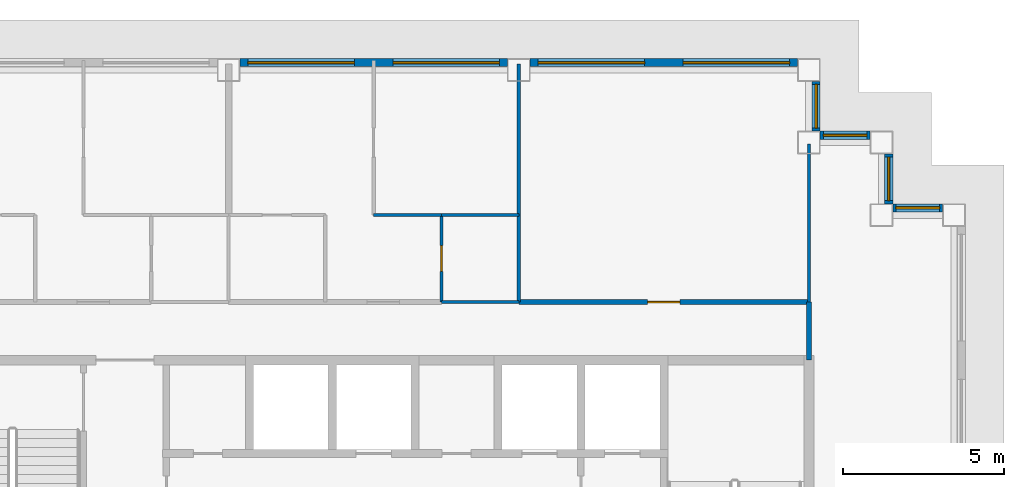
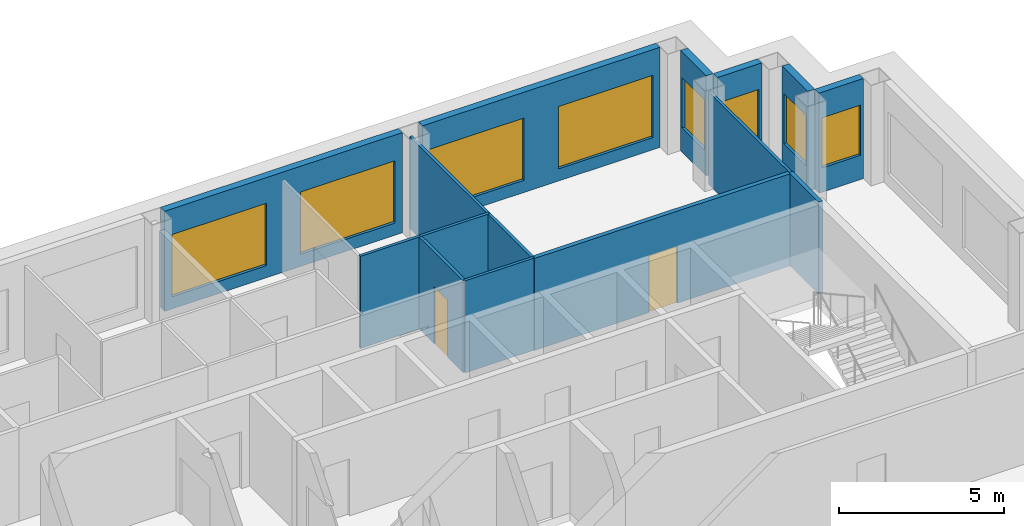
# One storey, part 7 of 11: 15 walls, 8 windows, 2 doors, 10 openings.
"""IFC4 building model written with IfcOpenShell, lengths in metres."""

from ifc_helpers import new_model, si_unit, direction, frame, frame_2d, origin, place, context, subcontext, project, spatial, rectangle, extrude, material, layer, layer_set, type_object, element, fill, save


model = new_model("IFC4")

# Units and contexts
model_context = context("Model", 3, precision=1e-05, world=origin(), true_north=direction((0.0, 1.0)))
body_context = subcontext(model_context, "Body", "Model", "MODEL_VIEW")
ifc_project = project(units=[si_unit("LENGTHUNIT", "METRE"), si_unit("AREAUNIT", "SQUARE_METRE"), si_unit("VOLUMEUNIT", "CUBIC_METRE"), si_unit("PLANEANGLEUNIT", "RADIAN"), si_unit("MASSUNIT", "GRAM", prefix="KILO")], contexts=[model_context])

# Site, building, storey
site_placement = place(None, origin())
site = spatial("IfcSite", under=ifc_project, at=site_placement, CompositionType="ELEMENT")
building_placement = place(site_placement, origin())
building = spatial("IfcBuilding", under=site, at=building_placement, Name="Caravel Reach Hotel and Residences", CompositionType="ELEMENT")
storey_placement = place(building_placement, frame((0.0, 0.0, 210.89990234375)))
storey = spatial("IfcBuildingStorey", under=building, at=storey_placement, Name="L53", CompositionType="ELEMENT", Elevation=210.89990234375)

# Walls
ifc_material_1 = material(Name="Gypsum board on steel stud", Category="steel")
ifc_layer_1 = layer(ifc_material_1, 0.10009765625)
ifc_layer_set_1 = layer_set([ifc_layer_1], Name="Bathroom pod wall 100 mm")
wall_type_1 = type_object("IfcWallType", Name="Bathroom pod wall 100 mm", PredefinedType="PARTITIONING", material=ifc_layer_set_1)
for number, where, z_axis, x_axis, name in (
    (1, (33.60009765625, 33.300048828125, 0.0), (0.0, 0.0, 1.0), (1.0, 0.0, 0.0), "L53 wall w069"),
    (2, (33.60009765625, 36.0, 0.0), (0.0, 0.0, 1.0), (1.0, 0.0, 0.0), "L53 wall w071"),
):
    element("IfcWall", number, at=place(storey_placement, frame(where, z_axis=z_axis, x_axis=x_axis)), inside=storey, type_object=wall_type_1, Name=name, PredefinedType="PARTITIONING", context=body_context, shape_type="SweptSolid", body=[
        extrude(rectangle(XDim=2.39990234375, YDim=0.10009765625, at=frame_2d((1.199951171875, 0.0))), origin(), (0.0, 0.0, 1.0), 3.400146484375),
    ])

# Wall, opening, door
wall_1_placement = place(storey_placement, frame((33.60009765625, 33.300048828125, 0.0), z_axis=(0.0, 0.0, 1.0), x_axis=(0.0, 1.0, 0.0)))
wall_1 = element("IfcWall", 3, at=wall_1_placement, inside=storey, type_object=wall_type_1, Name="L53 wall w079", PredefinedType="PARTITIONING", context=body_context, shape_type="SweptSolid", body=[
    extrude(rectangle(XDim=2.699951171875, YDim=0.10009765625, at=frame_2d((1.35009765625, 0.0))), origin(), (0.0, 0.0, 1.0), 3.400146484375),
])
opening_1_placement = place(wall_1_placement, frame((0.949951171875, 0.0, 0.0)))
opening_1 = element("IfcOpeningElement", 4, at=opening_1_placement, cuts=wall_1, Name="Opening D53-022", PredefinedType="OPENING", context=body_context, shape_type="SweptSolid", body=[
    extrude(rectangle(XDim=0.800048828125, YDim=2.10009765625, at=frame_2d((0.39990234375, 1.050048828125))), frame((0.0, 0.06005859375, 0.0), z_axis=(0.0, -1.0, 0.0), x_axis=(1.0, 0.0, 0.0)), (0.0, 0.0, 1.0), 0.1201171875),
])
ifc_material_2 = material(Name="Timber and steel door leaf", Category="steel")
door_type_1 = type_object("IfcDoorType", Name="Bathroom door 800 x 2100", OperationType="SINGLE_SWING_LEFT", PredefinedType="DOOR", material=ifc_material_2)
door_1_placement = place(opening_1_placement, origin())
door_1 = element("IfcDoor", 5, at=door_1_placement, inside=storey, type_object=door_type_1, Name="door D53-022", OperationType="SINGLE_SWING_LEFT", OverallHeight=2.10009765625, OverallWidth=0.800048828125, PredefinedType="DOOR", context=body_context, shape_type="SweptSolid", body=[
    extrude(rectangle(XDim=0.800048828125, YDim=2.10009765625, at=frame_2d((0.39990234375, 1.050048828125))), frame((0.0, 0.02490234375, 0.0), z_axis=(0.0, -1.0, 0.0), x_axis=(1.0, 0.0, 0.0)), (0.0, 0.0, 1.0), 0.050048828125),
])
fill(opening_1, door_1)

# Wall
wall_2_placement = place(storey_placement, frame((36.0, 33.300048828125, 0.0), z_axis=(0.0, 0.0, 1.0), x_axis=(0.0, 1.0, 0.0)))
element("IfcWall", 6, at=wall_2_placement, inside=storey, type_object=wall_type_1, Name="L53 wall w080", PredefinedType="PARTITIONING", context=body_context, shape_type="SweptSolid", body=[
    extrude(rectangle(XDim=2.699951171875, YDim=0.10009765625, at=frame_2d((1.35009765625, 0.0))), origin(), (0.0, 0.0, 1.0), 3.400146484375),
])

# Wall, opening, door
ifc_material_3 = material(Name="Gypsum board on steel stud, fire-rated", Category="steel")
ifc_layer_2 = layer(ifc_material_3, 0.14990234375)
ifc_layer_set_2 = layer_set([ifc_layer_2], Name="Corridor wall 150 mm EI 60")
wall_type_2 = type_object("IfcWallType", Name="Corridor wall 150 mm EI 60", PredefinedType="PARTITIONING", material=ifc_layer_set_2)
wall_3_placement = place(storey_placement, frame((36.0, 33.300048828125, 0.0), z_axis=(0.0, 0.0, 1.0), x_axis=(1.0, 0.0, 0.0)))
wall_3 = element("IfcWall", 7, at=wall_3_placement, inside=storey, type_object=wall_type_2, Name="L53 wall w014", PredefinedType="PARTITIONING", context=body_context, shape_type="SweptSolid", body=[
    extrude(rectangle(XDim=9.0, YDim=0.14990234375, at=frame_2d((4.5, 0.0))), origin(), (0.0, 0.0, 1.0), 3.400146484375),
])
opening_2_placement = place(wall_3_placement, frame((4.0, 0.0, 0.0)))
opening_2 = element("IfcOpeningElement", 8, at=opening_2_placement, cuts=wall_3, Name="Opening D53-024", PredefinedType="OPENING", context=body_context, shape_type="SweptSolid", body=[
    extrude(rectangle(XDim=1.0, YDim=2.10009765625, at=frame_2d((0.5, 1.050048828125))), frame((0.0, 0.0849609375, 0.0), z_axis=(0.0, -1.0, 0.0), x_axis=(1.0, 0.0, 0.0)), (0.0, 0.0, 1.0), 0.169921875),
])
ifc_material_4 = material(Name="Steel fire door leaf", Category="steel")
door_type_2 = type_object("IfcDoorType", Name="Fire door 1000 x 2100 EI 60", OperationType="SINGLE_SWING_LEFT", PredefinedType="DOOR", material=ifc_material_4)
door_2_placement = place(opening_2_placement, origin())
door_2 = element("IfcDoor", 9, at=door_2_placement, inside=storey, type_object=door_type_2, Name="door D53-024", OperationType="SINGLE_SWING_RIGHT", OverallHeight=2.10009765625, OverallWidth=1.0, PredefinedType="DOOR", context=body_context, shape_type="SweptSolid", body=[
    extrude(rectangle(XDim=1.0, YDim=2.10009765625, at=frame_2d((0.5, 1.050048828125))), frame((0.0, 0.02490234375, 0.0), z_axis=(0.0, -1.0, 0.0), x_axis=(1.0, 0.0, 0.0)), (0.0, 0.0, 1.0), 0.050048828125),
])
fill(opening_2, door_2)

# Wall
wall_4_placement = place(storey_placement, frame((45.0, 31.5, 0.0), z_axis=(0.0, 0.0, 1.0), x_axis=(0.0, 1.0, 0.0)))
element("IfcWall", 10, at=wall_4_placement, inside=storey, type_object=wall_type_2, Name="L53 wall w026", PredefinedType="PARTITIONING", context=body_context, shape_type="SweptSolid", body=[
    extrude(rectangle(XDim=1.800048828125, YDim=0.14990234375, at=frame_2d((0.89990234375, 0.0))), origin(), (0.0, 0.0, 1.0), 3.400146484375),
])

# Wall, opening, window
ifc_material_5 = material(Name="Insulated rainscreen wall, aluminium cladding", Category="aluminium")
ifc_layer_3 = layer(ifc_material_5, 0.25)
ifc_layer_set_3 = layer_set([ifc_layer_3], Name="EW1 Tower rainscreen wall")
wall_type_3 = type_object("IfcWallType", Name="EW1 Tower rainscreen wall", PredefinedType="SOLIDWALL", material=ifc_layer_set_3)
wall_5_placement = place(storey_placement, frame((49.14990234375, 36.22509765625, 0.0), z_axis=(0.0, 0.0, 1.0), x_axis=(-1.0, 0.0, 0.0)))
wall_5 = element("IfcWall", 11, at=wall_5_placement, inside=storey, type_object=wall_type_3, Name="External wall L53 N7.1", PredefinedType="SOLIDWALL", context=body_context, shape_type="SweptSolid", body=[
    extrude(rectangle(XDim=1.5498046875, YDim=0.25, at=frame_2d((0.77490234375, 0.0))), origin(), (0.0, 0.0, 1.0), 3.7001953125),
])
opening_3_placement = place(wall_5_placement, frame((0.10009765625, 0.0, 0.89990234375)))
opening_3 = element("IfcOpeningElement", 12, at=opening_3_placement, cuts=wall_5, Name="Opening WN21", PredefinedType="OPENING", context=body_context, shape_type="SweptSolid", body=[
    extrude(rectangle(XDim=1.35009765625, YDim=1.85009765625, at=frame_2d((0.675048828125, 0.925048828125))), frame((0.0, 0.135009765625, 0.0), z_axis=(0.0, -1.0, 0.0), x_axis=(1.0, 0.0, 0.0)), (0.0, 0.0, 1.0), 0.27001953125),
])
ifc_material_6 = material(Name="Dark low-e glazing in black aluminium frame", Category="aluminium")
window_type_1 = type_object("IfcWindowType", Name="Residence bedroom window 1350 x 1850", PartitioningType="SINGLE_PANEL", PredefinedType="WINDOW", material=ifc_material_6)
window_1_placement = place(opening_3_placement, origin())
window_1 = element("IfcWindow", 13, at=window_1_placement, inside=storey, type_object=window_type_1, Name="Window L53 N7.1.1", OverallHeight=1.85009765625, OverallWidth=1.35009765625, PartitioningType="SINGLE_PANEL", PredefinedType="WINDOW", context=body_context, shape_type="SweptSolid", body=[
    extrude(rectangle(XDim=1.35009765625, YDim=1.85009765625, at=frame_2d((0.675048828125, 0.925048828125))), frame((0.0, 0.030029296875, 0.0), z_axis=(0.0, -1.0, 0.0), x_axis=(1.0, 0.0, 0.0)), (0.0, 0.0, 1.0), 0.06005859375),
])
fill(opening_3, window_1)

wall_6_placement = place(storey_placement, frame((47.47509765625, 36.35009765625, 0.0), z_axis=(0.0, 0.0, 1.0), x_axis=(0.0, 1.0, 0.0)))
wall_6 = element("IfcWall", 14, at=wall_6_placement, inside=storey, type_object=wall_type_3, Name="External wall L53 E8.1", PredefinedType="SOLIDWALL", context=body_context, shape_type="SweptSolid", body=[
    extrude(rectangle(XDim=1.5498046875, YDim=0.25, at=frame_2d((0.77490234375, 0.0))), origin(), (0.0, 0.0, 1.0), 3.7001953125),
])
opening_4_placement = place(wall_6_placement, frame((0.10009765625, 0.0, 0.89990234375)))
opening_4 = element("IfcOpeningElement", 15, at=opening_4_placement, cuts=wall_6, Name="Opening WN21", PredefinedType="OPENING", context=body_context, shape_type="SweptSolid", body=[
    extrude(rectangle(XDim=1.35009765625, YDim=1.85009765625, at=frame_2d((0.675048828125, 0.925048828125))), frame((0.0, 0.135009765625, 0.0), z_axis=(0.0, -1.0, 0.0), x_axis=(1.0, 0.0, 0.0)), (0.0, 0.0, 1.0), 0.27001953125),
])
window_2_placement = place(opening_4_placement, origin())
window_2 = element("IfcWindow", 16, at=window_2_placement, inside=storey, type_object=window_type_1, Name="Window L53 E8.1.1", OverallHeight=1.85009765625, OverallWidth=1.35009765625, PartitioningType="SINGLE_PANEL", PredefinedType="WINDOW", context=body_context, shape_type="SweptSolid", body=[
    extrude(rectangle(XDim=1.35009765625, YDim=1.85009765625, at=frame_2d((0.675048828125, 0.925048828125))), frame((0.0, 0.030029296875, 0.0), z_axis=(0.0, -1.0, 0.0), x_axis=(1.0, 0.0, 0.0)), (0.0, 0.0, 1.0), 0.06005859375),
])
fill(opening_4, window_2)

wall_7_placement = place(storey_placement, frame((46.89990234375, 38.47509765625, 0.0), z_axis=(0.0, 0.0, 1.0), x_axis=(-1.0, 0.0, 0.0)))
wall_7 = element("IfcWall", 17, at=wall_7_placement, inside=storey, type_object=wall_type_3, Name="External wall L53 N9.1", PredefinedType="SOLIDWALL", context=body_context, shape_type="SweptSolid", body=[
    extrude(rectangle(XDim=1.5498046875, YDim=0.25, at=frame_2d((0.77490234375, 0.0))), origin(), (0.0, 0.0, 1.0), 3.7001953125),
])
opening_5_placement = place(wall_7_placement, frame((0.10009765625, 0.0, 0.89990234375)))
opening_5 = element("IfcOpeningElement", 18, at=opening_5_placement, cuts=wall_7, Name="Opening WN21", PredefinedType="OPENING", context=body_context, shape_type="SweptSolid", body=[
    extrude(rectangle(XDim=1.35009765625, YDim=1.85009765625, at=frame_2d((0.675048828125, 0.925048828125))), frame((0.0, 0.135009765625, 0.0), z_axis=(0.0, -1.0, 0.0), x_axis=(1.0, 0.0, 0.0)), (0.0, 0.0, 1.0), 0.27001953125),
])
window_3_placement = place(opening_5_placement, origin())
window_3 = element("IfcWindow", 19, at=window_3_placement, inside=storey, type_object=window_type_1, Name="Window L53 N9.1.1", OverallHeight=1.85009765625, OverallWidth=1.35009765625, PartitioningType="SINGLE_PANEL", PredefinedType="WINDOW", context=body_context, shape_type="SweptSolid", body=[
    extrude(rectangle(XDim=1.35009765625, YDim=1.85009765625, at=frame_2d((0.675048828125, 0.925048828125))), frame((0.0, 0.030029296875, 0.0), z_axis=(0.0, -1.0, 0.0), x_axis=(1.0, 0.0, 0.0)), (0.0, 0.0, 1.0), 0.06005859375),
])
fill(opening_5, window_3)

wall_8_placement = place(storey_placement, frame((45.22509765625, 38.60009765625, 0.0), z_axis=(0.0, 0.0, 1.0), x_axis=(0.0, 1.0, 0.0)))
wall_8 = element("IfcWall", 20, at=wall_8_placement, inside=storey, type_object=wall_type_3, Name="External wall L53 E10.1", PredefinedType="SOLIDWALL", context=body_context, shape_type="SweptSolid", body=[
    extrude(rectangle(XDim=1.5498046875, YDim=0.25, at=frame_2d((0.77490234375, 0.0))), origin(), (0.0, 0.0, 1.0), 3.7001953125),
])
opening_6_placement = place(wall_8_placement, frame((0.10009765625, 0.0, 0.89990234375)))
opening_6 = element("IfcOpeningElement", 21, at=opening_6_placement, cuts=wall_8, Name="Opening WN21", PredefinedType="OPENING", context=body_context, shape_type="SweptSolid", body=[
    extrude(rectangle(XDim=1.35009765625, YDim=1.85009765625, at=frame_2d((0.675048828125, 0.925048828125))), frame((0.0, 0.135009765625, 0.0), z_axis=(0.0, -1.0, 0.0), x_axis=(1.0, 0.0, 0.0)), (0.0, 0.0, 1.0), 0.27001953125),
])
window_4_placement = place(opening_6_placement, origin())
window_4 = element("IfcWindow", 22, at=window_4_placement, inside=storey, type_object=window_type_1, Name="Window L53 E10.1.1", OverallHeight=1.85009765625, OverallWidth=1.35009765625, PartitioningType="SINGLE_PANEL", PredefinedType="WINDOW", context=body_context, shape_type="SweptSolid", body=[
    extrude(rectangle(XDim=1.35009765625, YDim=1.85009765625, at=frame_2d((0.675048828125, 0.925048828125))), frame((0.0, 0.030029296875, 0.0), z_axis=(0.0, -1.0, 0.0), x_axis=(1.0, 0.0, 0.0)), (0.0, 0.0, 1.0), 0.06005859375),
])
fill(opening_6, window_4)

# Wall, openings, windows
wall_9_placement = place(storey_placement, frame((44.64990234375, 40.72509765625, 0.0), z_axis=(0.0, 0.0, 1.0), x_axis=(-1.0, 0.0, 0.0)))
wall_9 = element("IfcWall", 23, at=wall_9_placement, inside=storey, type_object=wall_type_3, Name="External wall L53 N11.1", PredefinedType="SOLIDWALL", context=body_context, shape_type="SweptSolid", body=[
    extrude(rectangle(XDim=8.2998046875, YDim=0.25, at=frame_2d((4.14990234375, 0.0))), origin(), (0.0, 0.0, 1.0), 3.7001953125),
])
opening_7_placement = place(wall_9_placement, frame((0.25, 0.0, 0.449951171875)))
opening_7 = element("IfcOpeningElement", 24, at=opening_7_placement, cuts=wall_9, Name="Opening WN15", PredefinedType="OPENING", context=body_context, shape_type="SweptSolid", body=[
    extrude(rectangle(XDim=3.300048828125, YDim=2.300048828125, at=frame_2d((1.64990234375, 1.14990234375))), frame((0.0, 0.135009765625, 0.0), z_axis=(0.0, -1.0, 0.0), x_axis=(1.0, 0.0, 0.0)), (0.0, 0.0, 1.0), 0.27001953125),
])
opening_8_placement = place(wall_9_placement, frame((4.75, 0.0, 0.449951171875)))
opening_8 = element("IfcOpeningElement", 25, at=opening_8_placement, cuts=wall_9, Name="Opening WN15", PredefinedType="OPENING", context=body_context, shape_type="SweptSolid", body=[
    extrude(rectangle(XDim=3.300048828125, YDim=2.300048828125, at=frame_2d((1.64990234375, 1.14990234375))), frame((0.0, 0.135009765625, 0.0), z_axis=(0.0, -1.0, 0.0), x_axis=(1.0, 0.0, 0.0)), (0.0, 0.0, 1.0), 0.27001953125),
])
ifc_material_7 = material(Name="Dark low-e glazing in black aluminium frame", Category="aluminium")
window_type_2 = type_object("IfcWindowType", Name="Residence living window 3300 x 2300", PartitioningType="SINGLE_PANEL", PredefinedType="WINDOW", material=ifc_material_7)
window_5_placement = place(opening_7_placement, origin())
window_5 = element("IfcWindow", 26, at=window_5_placement, inside=storey, type_object=window_type_2, Name="Window L53 N11.1.1", OverallHeight=2.300048828125, OverallWidth=3.300048828125, PartitioningType="SINGLE_PANEL", PredefinedType="WINDOW", context=body_context, shape_type="SweptSolid", body=[
    extrude(rectangle(XDim=3.300048828125, YDim=2.300048828125, at=frame_2d((1.64990234375, 1.14990234375))), frame((0.0, 0.030029296875, 0.0), z_axis=(0.0, -1.0, 0.0), x_axis=(1.0, 0.0, 0.0)), (0.0, 0.0, 1.0), 0.06005859375),
])
fill(opening_7, window_5)
window_6_placement = place(opening_8_placement, origin())
window_6 = element("IfcWindow", 27, at=window_6_placement, inside=storey, type_object=window_type_2, Name="Window L53 N11.1.2", OverallHeight=2.300048828125, OverallWidth=3.300048828125, PartitioningType="SINGLE_PANEL", PredefinedType="WINDOW", context=body_context, shape_type="SweptSolid", body=[
    extrude(rectangle(XDim=3.300048828125, YDim=2.300048828125, at=frame_2d((1.64990234375, 1.14990234375))), frame((0.0, 0.030029296875, 0.0), z_axis=(0.0, -1.0, 0.0), x_axis=(1.0, 0.0, 0.0)), (0.0, 0.0, 1.0), 0.06005859375),
])
fill(opening_8, window_6)

wall_10_placement = place(storey_placement, frame((35.64990234375, 40.72509765625, 0.0), z_axis=(0.0, 0.0, 1.0), x_axis=(-1.0, 0.0, 0.0)))
wall_10 = element("IfcWall", 28, at=wall_10_placement, inside=storey, type_object=wall_type_3, Name="External wall L53 N11.2", PredefinedType="SOLIDWALL", context=body_context, shape_type="SweptSolid", body=[
    extrude(rectangle(XDim=8.2998046875, YDim=0.25, at=frame_2d((4.14990234375, 0.0))), origin(), (0.0, 0.0, 1.0), 3.7001953125),
])
opening_9_placement = place(wall_10_placement, frame((0.25, 0.0, 0.449951171875)))
opening_9 = element("IfcOpeningElement", 29, at=opening_9_placement, cuts=wall_10, Name="Opening WN15", PredefinedType="OPENING", context=body_context, shape_type="SweptSolid", body=[
    extrude(rectangle(XDim=3.300048828125, YDim=2.300048828125, at=frame_2d((1.64990234375, 1.14990234375))), frame((0.0, 0.135009765625, 0.0), z_axis=(0.0, -1.0, 0.0), x_axis=(1.0, 0.0, 0.0)), (0.0, 0.0, 1.0), 0.27001953125),
])
opening_10_placement = place(wall_10_placement, frame((4.75, 0.0, 0.449951171875)))
opening_10 = element("IfcOpeningElement", 30, at=opening_10_placement, cuts=wall_10, Name="Opening WN15", PredefinedType="OPENING", context=body_context, shape_type="SweptSolid", body=[
    extrude(rectangle(XDim=3.300048828125, YDim=2.300048828125, at=frame_2d((1.64990234375, 1.14990234375))), frame((0.0, 0.135009765625, 0.0), z_axis=(0.0, -1.0, 0.0), x_axis=(1.0, 0.0, 0.0)), (0.0, 0.0, 1.0), 0.27001953125),
])
window_7_placement = place(opening_9_placement, origin())
window_7 = element("IfcWindow", 31, at=window_7_placement, inside=storey, type_object=window_type_2, Name="Window L53 N11.2.1", OverallHeight=2.300048828125, OverallWidth=3.300048828125, PartitioningType="SINGLE_PANEL", PredefinedType="WINDOW", context=body_context, shape_type="SweptSolid", body=[
    extrude(rectangle(XDim=3.300048828125, YDim=2.300048828125, at=frame_2d((1.64990234375, 1.14990234375))), frame((0.0, 0.030029296875, 0.0), z_axis=(0.0, -1.0, 0.0), x_axis=(1.0, 0.0, 0.0)), (0.0, 0.0, 1.0), 0.06005859375),
])
fill(opening_9, window_7)
window_8_placement = place(opening_10_placement, origin())
window_8 = element("IfcWindow", 32, at=window_8_placement, inside=storey, type_object=window_type_2, Name="Window L53 N11.2.2", OverallHeight=2.300048828125, OverallWidth=3.300048828125, PartitioningType="SINGLE_PANEL", PredefinedType="WINDOW", context=body_context, shape_type="SweptSolid", body=[
    extrude(rectangle(XDim=3.300048828125, YDim=2.300048828125, at=frame_2d((1.64990234375, 1.14990234375))), frame((0.0, 0.030029296875, 0.0), z_axis=(0.0, -1.0, 0.0), x_axis=(1.0, 0.0, 0.0)), (0.0, 0.0, 1.0), 0.06005859375),
])
fill(opening_10, window_8)

# Walls
ifc_material_8 = material(Name="Gypsum board on steel stud", Category="steel")
ifc_layer_4 = layer(ifc_material_8, 0.10009765625)
ifc_layer_set_4 = layer_set([ifc_layer_4], Name="Partition 100 mm")
wall_type_4 = type_object("IfcWallType", Name="Partition 100 mm", PredefinedType="PARTITIONING", material=ifc_layer_set_4)
wall_11_placement = place(storey_placement, frame((31.5, 36.0, 0.0), z_axis=(0.0, 0.0, 1.0), x_axis=(1.0, 0.0, 0.0)))
element("IfcWall", 33, at=wall_11_placement, inside=storey, type_object=wall_type_4, Name="L53 wall w036", PredefinedType="PARTITIONING", context=body_context, shape_type="SweptSolid", body=[
    extrude(rectangle(XDim=2.10009765625, YDim=0.10009765625, at=frame_2d((1.050048828125, 0.0))), origin(), (0.0, 0.0, 1.0), 3.400146484375),
])
wall_12_placement = place(storey_placement, frame((36.0, 36.0, 0.0), z_axis=(0.0, 0.0, 1.0), x_axis=(0.0, 1.0, 0.0)))
element("IfcWall", 34, at=wall_12_placement, inside=storey, type_object=wall_type_4, Name="L53 wall w054", PredefinedType="PARTITIONING", context=body_context, shape_type="SweptSolid", body=[
    extrude(rectangle(XDim=4.68994140625, YDim=0.10009765625, at=frame_2d((2.344970703125, 0.0))), origin(), (0.0, 0.0, 1.0), 3.400146484375),
])
wall_13_placement = place(storey_placement, frame((45.0, 33.300048828125, 0.0), z_axis=(0.0, 0.0, 1.0), x_axis=(0.0, 1.0, 0.0)))
element("IfcWall", 35, at=wall_13_placement, inside=storey, type_object=wall_type_4, Name="L53 wall w059", PredefinedType="PARTITIONING", context=body_context, shape_type="SweptSolid", body=[
    extrude(rectangle(XDim=4.89990234375, YDim=0.10009765625, at=frame_2d((2.449951171875, 0.0))), origin(), (0.0, 0.0, 1.0), 3.400146484375),
])

save(model, "model.ifc")
